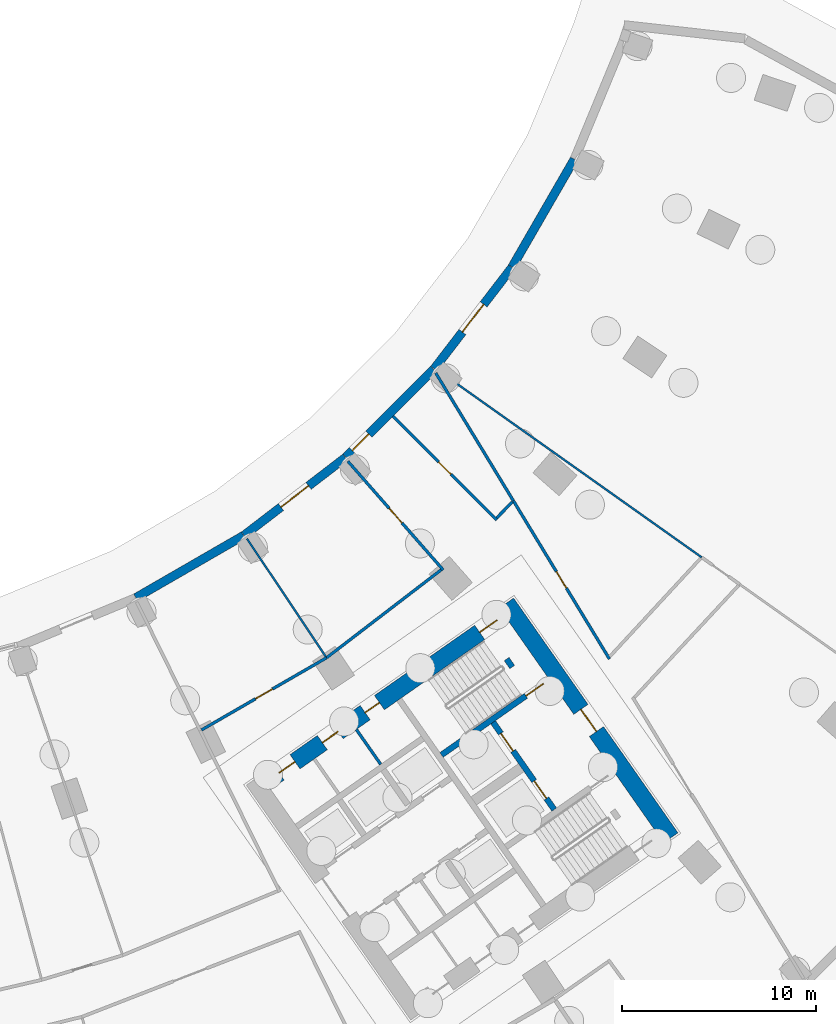
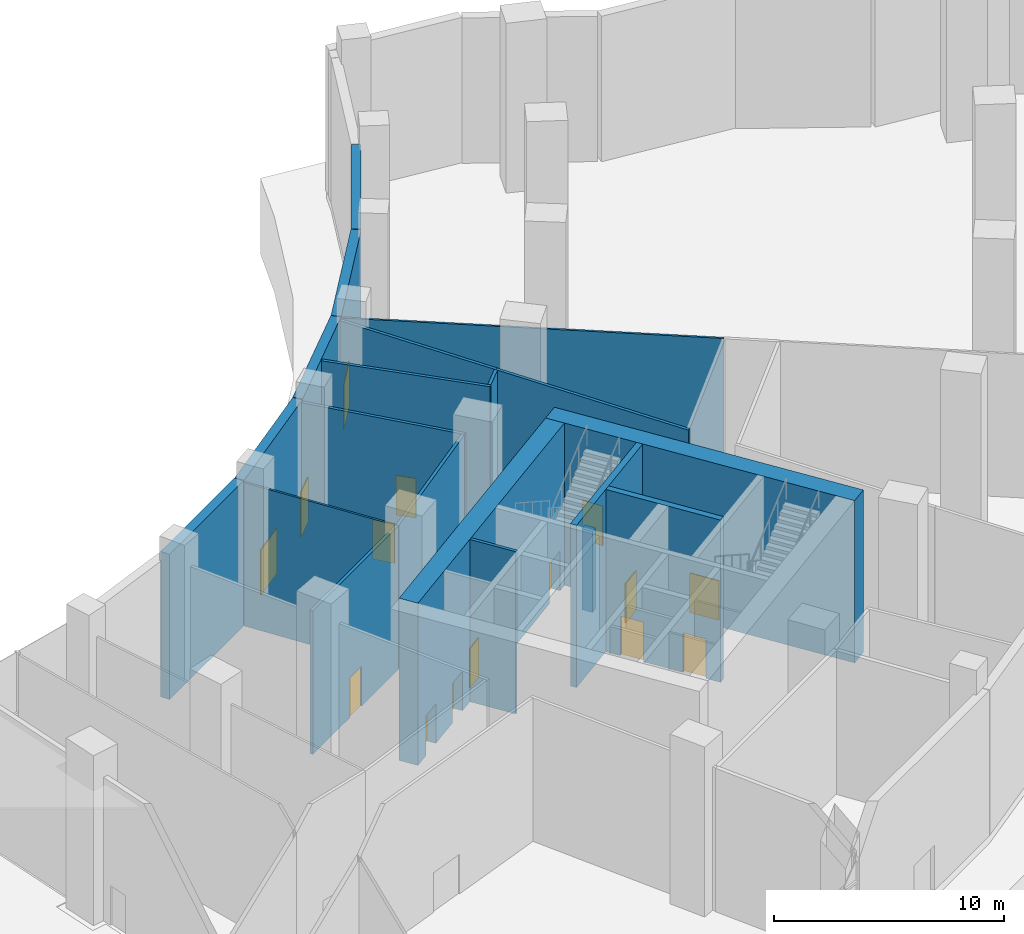
# One storey, part 10 of 23: 20 walls, 15 doors, 15 openings.
"""IFC4 building model written with IfcOpenShell, lengths in metres."""

import ifcopenshell
import ifcopenshell.guid

model = None  # the IFC model being written
_history = None  # IfcOwnerHistory: only IFC2X3 demands one
_inside = {}  # id of a spatial element -> (the spatial element, [elements in it])
_under = {}  # id of a project, library or spatial element -> (it, [spatial elements below it])
_declared = {}  # id of a project -> (the project, [libraries it declares])
_typed = {}  # id of a type object -> (the type object, [elements of that type])
_made_of = {}  # id of a material, layer set ... -> (it, [elements and type objects made of it])


def new_model(schema):
    """Start an empty IFC model of exactly this schema.

    Asked for "IFC4X3", IfcOpenShell would pick the latest addendum, in which some entities
    have other attributes; the version numbers below select the first issue.
    IFC2X3 requires an IfcOwnerHistory on every rooted entity: one is made here for all.
    """
    global model, _history
    if schema == "IFC4X3":
        model = ifcopenshell.file(schema_version=(4, 3, 0, 0))
    else:
        model = ifcopenshell.file(schema=schema)
    _inside.clear()
    _under.clear()
    _declared.clear()
    _typed.clear()
    _made_of.clear()
    _history = None
    if model.schema == "IFC2X3":
        org = make("IfcOrganization", Name="unknown")
        user = make(
            "IfcPersonAndOrganization",
            ThePerson=make("IfcPerson", FamilyName="unknown"),
            TheOrganization=org,
        )
        app = make(
            "IfcApplication",
            ApplicationDeveloper=org,
            Version="unknown",
            ApplicationFullName="unknown",
            ApplicationIdentifier="unknown",
        )
        _history = make(
            "IfcOwnerHistory",
            OwningUser=user,
            OwningApplication=app,
            ChangeAction="ADDED",
            CreationDate=0,
        )
    return model


def make(cls, **values):
    """One entity of the class cls with the attributes given. An attribute that is None is left unset."""
    return model.create_entity(
        cls, **{name: value for name, value in values.items() if value is not None}
    )


def rooted(cls, **values):
    """An entity with a GlobalId (a new one), such as an element, a storey or a relation."""
    return make(cls, GlobalId=ifcopenshell.guid.new(), OwnerHistory=_history, **values)


def si_unit(unit_type, name, prefix=None):
    """IfcSIUnit, for example si_unit("LENGTHUNIT", "METRE", prefix="MILLI")."""
    return make("IfcSIUnit", UnitType=unit_type, Prefix=prefix, Name=name)


def assignment(units):
    """IfcUnitAssignment: the units of a project."""
    return None if units is None else make("IfcUnitAssignment", Units=units)


def point(xyz):
    """IfcCartesianPoint."""
    return None if xyz is None else make("IfcCartesianPoint", Coordinates=xyz)


def direction(xyz):
    """IfcDirection."""
    return None if xyz is None else make("IfcDirection", DirectionRatios=xyz)


def frame(location, z_axis=None, x_axis=None):
    """IfcAxis2Placement3D, a coordinate frame: its origin and axes. An axis left out is left unset."""
    return make(
        "IfcAxis2Placement3D",
        Location=point(location),
        Axis=direction(z_axis),
        RefDirection=direction(x_axis),
    )


def frame_2d(location, x_axis=None):
    """IfcAxis2Placement2D, a coordinate frame in the plane: its origin and x axis."""
    return make(
        "IfcAxis2Placement2D", Location=point(location), RefDirection=direction(x_axis)
    )


def origin():
    """The frame at (0, 0, 0) with its axes left unset."""
    return frame((0.0, 0.0, 0.0))


def place(relative_to, where):
    """IfcLocalPlacement: puts the frame where relative to a parent placement (None: the world)."""
    return make(
        "IfcLocalPlacement", PlacementRelTo=relative_to, RelativePlacement=where
    )


def context(
    kind, dimensions, precision=None, world=None, true_north=None, identifier=None
):
    """IfcGeometricRepresentationContext, for example the 3D "Model" context."""
    return make(
        "IfcGeometricRepresentationContext",
        ContextIdentifier=identifier,
        ContextType=kind,
        CoordinateSpaceDimension=dimensions,
        Precision=precision,
        WorldCoordinateSystem=world,
        TrueNorth=true_north,
    )


def subcontext(parent, identifier, kind, view, scale=None):
    """IfcGeometricRepresentationSubContext, for example "Body" below "Model"."""
    return make(
        "IfcGeometricRepresentationSubContext",
        ContextIdentifier=identifier,
        ContextType=kind,
        ParentContext=parent,
        TargetScale=scale,
        TargetView=view,
    )


def project(units=None, contexts=None):
    """IfcProject with its units and contexts."""
    return rooted(
        "IfcProject",
        Name="project",
        RepresentationContexts=contexts,
        UnitsInContext=assignment(units),
    )


def spatial(cls, under=None, at=None, **own):
    """A site, building, storey or space (cls), placed at a placement, below another one or the project."""
    s = rooted(cls, ObjectPlacement=at, **own)
    if under is not None:
        _under.setdefault(under.id(), (under, []))[1].append(s)
    return s


def profile(cls, at=None, kind="AREA", **sizes):
    """A parametric profile (cls). Its sizes go by their IFC names, for example OverallWidth=200.0."""
    return make(cls, ProfileType=kind, Position=at, **sizes)


def rectangle(**sizes):
    """IfcRectangleProfileDef."""
    return profile("IfcRectangleProfileDef", **sizes)


def extrude(swept, where, along, depth):
    """IfcExtrudedAreaSolid: the profile swept, set in the frame where, extruded along a direction by depth."""
    return make(
        "IfcExtrudedAreaSolid",
        SweptArea=swept,
        Position=where,
        ExtrudedDirection=direction(along),
        Depth=depth,
    )


def shape(context_of_items, identifier, shape_type, items):
    """IfcShapeRepresentation: the items that make up one representation, for example the "Body"."""
    return make(
        "IfcShapeRepresentation",
        ContextOfItems=context_of_items,
        RepresentationIdentifier=identifier,
        RepresentationType=shape_type,
        Items=items,
    )


def material(Name=None, Category=None):
    """IfcMaterial."""
    return make("IfcMaterial", Name=Name, Category=Category)


def layer(
    of_material, thickness, ventilated=None, Name=None, Category=None, Priority=None
):
    """IfcMaterialLayer: one layer of a wall or slab, of a material (None: an air gap)."""
    return make(
        "IfcMaterialLayer",
        Material=of_material,
        LayerThickness=thickness,
        IsVentilated=ventilated,
        Name=Name,
        Category=Category,
        Priority=Priority,
    )


def layer_set(layers, Name=None):
    """IfcMaterialLayerSet."""
    return make("IfcMaterialLayerSet", MaterialLayers=layers, LayerSetName=Name)


def made_of(thing, what):
    """Note that an element or type object is made of a material, layer set ...; save() writes the relation."""
    if what is not None:
        _made_of.setdefault(what.id(), (what, []))[1].append(thing)
    return thing


def type_object(cls, material=None, **own):
    """A type object (cls), such as IfcWallType, which elements share."""
    return made_of(rooted(cls, **own), material)


def element(
    cls,
    number,
    at=None,
    inside=None,
    cuts=None,
    type_object=None,
    material=None,
    context=None,
    identifier="Body",
    shape_type=None,
    held_by="IfcProductDefinitionShape",
    body=None,
    shapes=None,
    **own,
):
    """One element of the class cls, such as IfcWall. Its Tag is "e" and its number.

    at: its placement. inside: the storey or other place that contains it. cuts: it is an
    opening in that element (IfcRelVoidsElement). A single representation is given by context,
    identifier, shape_type and body (its items); several are given by shapes. held_by: the class
    of the entity that holds the representations. save() writes the other relations.
    """
    e = rooted(cls, Tag="e%d" % number, ObjectPlacement=at, **own)
    if body is not None:
        shapes = [shape(context, identifier, shape_type, body)]
    if shapes is not None:
        e.Representation = make(held_by, Representations=shapes)
    if inside is not None:
        _inside.setdefault(inside.id(), (inside, []))[1].append(e)
    if cuts is not None:
        rooted(
            "IfcRelVoidsElement", RelatingBuildingElement=cuts, RelatedOpeningElement=e
        )
    if type_object is not None:
        _typed.setdefault(type_object.id(), (type_object, []))[1].append(e)
    return made_of(e, material)


def fill(opening, filler):
    """IfcRelFillsElement: the door or window that sits in an opening."""
    return rooted(
        "IfcRelFillsElement",
        RelatingOpeningElement=opening,
        RelatedBuildingElement=filler,
    )


def aggregate(whole, parts):
    """IfcRelAggregates: a whole, such as a stair, and the parts it consists of."""
    return rooted("IfcRelAggregates", RelatingObject=whole, RelatedObjects=parts)


def save(model, path):
    """Write the relations noted so far, then the file.

    IfcRelAggregates (storeys below a building ...), IfcRelContainedInSpatialStructure (elements
    in a storey), IfcRelDefinesByType, IfcRelAssociatesMaterial and IfcRelDeclares: one each for
    every whole, place, type object, material and project.
    """
    for whole, parts in _under.values():
        aggregate(whole, parts)
    for where, things in _inside.values():
        rooted(
            "IfcRelContainedInSpatialStructure",
            RelatedElements=things,
            RelatingStructure=where,
        )
    for kind, things in _typed.values():
        rooted("IfcRelDefinesByType", RelatedObjects=things, RelatingType=kind)
    for what, things in _made_of.values():
        rooted("IfcRelAssociatesMaterial", RelatedObjects=things, RelatingMaterial=what)
    for by, libraries in _declared.values():
        rooted("IfcRelDeclares", RelatingContext=by, RelatedDefinitions=libraries)
    model.write(path)


model = new_model("IFC4")

# Units and contexts
model_context = context("Model", 3, precision=1e-05, world=origin(), true_north=direction((0.0, 1.0)))
body_context = subcontext(model_context, "Body", "Model", "MODEL_VIEW")
ifc_project = project(units=[si_unit("LENGTHUNIT", "METRE"), si_unit("AREAUNIT", "SQUARE_METRE"), si_unit("VOLUMEUNIT", "CUBIC_METRE"), si_unit("PLANEANGLEUNIT", "RADIAN"), si_unit("MASSUNIT", "GRAM", prefix="KILO")], contexts=[model_context])

# Site, building, storey
site_placement = place(None, origin())
site = spatial("IfcSite", under=ifc_project, at=site_placement, CompositionType="ELEMENT")
building_placement = place(site_placement, origin())
building = spatial("IfcBuilding", under=site, at=building_placement, Name="Qamariyya Broadcast Tower", CompositionType="ELEMENT")
storey_placement = place(building_placement, origin())
storey = spatial("IfcBuildingStorey", under=building, at=storey_placement, Name="L00", CompositionType="ELEMENT", Elevation=0.0)

# Wall, opening, door
ifc_material_1 = material(Name="Concrete C70/85", Category="concrete")
ifc_layer_1 = layer(ifc_material_1, 0.89990234375)
ifc_layer_set_1 = layer_set([ifc_layer_1], Name="Core wall 900 mm Concrete C70/85")
wall_type_1 = type_object("IfcWallType", Name="Core wall 900 mm Concrete C70/85", PredefinedType="SHEAR", material=ifc_layer_set_1)
wall_1_placement = place(storey_placement, frame((49.778564453125, -57.191162109375, 0.0), z_axis=(0.0, 0.0, 1.0), x_axis=(-0.573577477574, 0.819151315216, 0.0)))
wall_1 = element("IfcWall", 1, at=wall_1_placement, inside=storey, type_object=wall_type_1, Name="k-E-L00-WH", PredefinedType="SHEAR", context=body_context, shape_type="SweptSolid", body=[
    extrude(rectangle(XDim=14.800048828125, YDim=0.89990234375, at=frame_2d((7.39990234375, 0.0))), origin(), (0.0, 0.0, 1.0), 8.60009765625),
])
opening_1_placement = place(wall_1_placement, frame((6.699951171875, 0.0, 0.0)))
opening_1 = element("IfcOpeningElement", 2, at=opening_1_placement, cuts=wall_1, Name="Opening KD2-E1", PredefinedType="OPENING", context=body_context, shape_type="SweptSolid", body=[
    extrude(rectangle(XDim=1.39990234375, YDim=2.10009765625, at=frame_2d((0.699951171875, 1.050048828125))), frame((0.0, 0.4599609375, 0.0), z_axis=(0.0, -1.0, 0.0), x_axis=(1.0, 0.0, 0.0)), (0.0, 0.0, 1.0), 0.919921875),
])
ifc_material_2 = material(Name="Steel fire-resisting door leaf", Category="steel")
door_type_1 = type_object("IfcDoorType", Name="Fire-fighting lobby door KD2", OperationType="DOUBLE_DOOR_SINGLE_SWING", PredefinedType="DOOR", material=ifc_material_2)
door_1_placement = place(opening_1_placement, origin())
door_1 = element("IfcDoor", 3, at=door_1_placement, inside=storey, type_object=door_type_1, Name="k-E-L00-WH-D17", OperationType="DOUBLE_DOOR_SINGLE_SWING", OverallHeight=2.10009765625, OverallWidth=1.39990234375, PredefinedType="DOOR", context=body_context, shape_type="SweptSolid", body=[
    extrude(rectangle(XDim=1.39990234375, YDim=2.10009765625, at=frame_2d((0.699951171875, 1.050048828125))), frame((0.0, 0.02490234375, 0.0), z_axis=(0.0, -1.0, 0.0), x_axis=(1.0, 0.0, 0.0)), (0.0, 0.0, 1.0), 0.050048828125),
])
fill(opening_1, door_1)

# Wall, openings, doors
wall_2_placement = place(storey_placement, frame((28.8544921875, -54.32421875, 0.0), z_axis=(0.0, 0.0, 1.0), x_axis=(0.819145767589, 0.573585400304, 0.0)))
wall_2 = element("IfcWall", 4, at=wall_2_placement, inside=storey, type_object=wall_type_1, Name="k-E-L00-WI", PredefinedType="SHEAR", context=body_context, shape_type="SweptSolid", body=[
    extrude(rectangle(XDim=15.04541015625, YDim=0.89990234375, at=frame_2d((7.522705078125, 0.0))), origin(), (0.0, 0.0, 1.0), 8.60009765625),
])
opening_2_placement = place(wall_2_placement, frame((0.85009765625, 0.0, 0.0)))
opening_2 = element("IfcOpeningElement", 5, at=opening_2_placement, cuts=wall_2, Name="Opening KD6-E3", PredefinedType="OPENING", context=body_context, shape_type="SweptSolid", body=[
    extrude(rectangle(XDim=1.0, YDim=2.10009765625, at=frame_2d((0.5, 1.050048828125))), frame((0.0, 0.4599609375, 0.0), z_axis=(0.0, -1.0, 0.0), x_axis=(1.0, 0.0, 0.0)), (0.0, 0.0, 1.0), 0.919921875),
])
opening_3_placement = place(wall_2_placement, frame((3.574951171875, 0.0, 0.0)))
opening_3 = element("IfcOpeningElement", 6, at=opening_3_placement, cuts=wall_2, Name="Opening KD7-E1", PredefinedType="OPENING", context=body_context, shape_type="SweptSolid", body=[
    extrude(rectangle(XDim=1.0, YDim=2.10009765625, at=frame_2d((0.5, 1.050048828125))), frame((0.0, 0.4599609375, 0.0), z_axis=(0.0, -1.0, 0.0), x_axis=(1.0, 0.0, 0.0)), (0.0, 0.0, 1.0), 0.919921875),
])
opening_4_placement = place(wall_2_placement, frame((6.27490234375, 0.0, 0.0)))
opening_4 = element("IfcOpeningElement", 7, at=opening_4_placement, cuts=wall_2, Name="Opening KD5-E1", PredefinedType="OPENING", context=body_context, shape_type="SweptSolid", body=[
    extrude(rectangle(XDim=0.89990234375, YDim=2.10009765625, at=frame_2d((0.449951171875, 1.050048828125))), frame((0.0, 0.4599609375, 0.0), z_axis=(0.0, -1.0, 0.0), x_axis=(1.0, 0.0, 0.0)), (0.0, 0.0, 1.0), 0.919921875),
])
opening_5_placement = place(wall_2_placement, frame((13.495361328125, 0.0, 0.0)))
opening_5 = element("IfcOpeningElement", 8, at=opening_5_placement, cuts=wall_2, Name="Opening KD1-E1", PredefinedType="OPENING", context=body_context, shape_type="SweptSolid", body=[
    extrude(rectangle(XDim=1.10009765625, YDim=2.10009765625, at=frame_2d((0.550048828125, 1.050048828125))), frame((0.0, 0.4599609375, 0.0), z_axis=(0.0, -1.0, 0.0), x_axis=(1.0, 0.0, 0.0)), (0.0, 0.0, 1.0), 0.919921875),
])
door_type_2 = type_object("IfcDoorType", Name="Accessible toilet door KD7", OperationType="SINGLE_SWING_LEFT", PredefinedType="DOOR", material=ifc_material_2)
door_2_placement = place(opening_3_placement, origin())
door_2 = element("IfcDoor", 9, at=door_2_placement, inside=storey, type_object=door_type_2, Name="k-E-L00-WI-D10", OperationType="SINGLE_SWING_RIGHT", OverallHeight=2.10009765625, OverallWidth=1.0, PredefinedType="DOOR", context=body_context, shape_type="SweptSolid", body=[
    extrude(rectangle(XDim=1.0, YDim=2.10009765625, at=frame_2d((0.5, 1.050048828125))), frame((0.0, 0.02490234375, 0.0), z_axis=(0.0, -1.0, 0.0), x_axis=(1.0, 0.0, 0.0)), (0.0, 0.0, 1.0), 0.050048828125),
])
fill(opening_3, door_2)
door_type_3 = type_object("IfcDoorType", Name="Core room door KD6", OperationType="SINGLE_SWING_LEFT", PredefinedType="DOOR", material=ifc_material_2)
door_3_placement = place(opening_2_placement, origin())
door_3 = element("IfcDoor", 10, at=door_3_placement, inside=storey, type_object=door_type_3, Name="k-E-L00-WI-D9", OperationType="SINGLE_SWING_LEFT", OverallHeight=2.10009765625, OverallWidth=1.0, PredefinedType="DOOR", context=body_context, shape_type="SweptSolid", body=[
    extrude(rectangle(XDim=1.0, YDim=2.10009765625, at=frame_2d((0.5, 1.050048828125))), frame((0.0, 0.02490234375, 0.0), z_axis=(0.0, -1.0, 0.0), x_axis=(1.0, 0.0, 0.0)), (0.0, 0.0, 1.0), 0.050048828125),
])
fill(opening_2, door_3)
door_type_4 = type_object("IfcDoorType", Name="Stair door KD1", OperationType="SINGLE_SWING_LEFT", PredefinedType="DOOR", material=ifc_material_2)
door_4_placement = place(opening_5_placement, origin())
door_4 = element("IfcDoor", 11, at=door_4_placement, inside=storey, type_object=door_type_4, Name="k-E-L00-WI-D18", OperationType="SINGLE_SWING_RIGHT", OverallHeight=2.10009765625, OverallWidth=1.10009765625, PredefinedType="DOOR", context=body_context, shape_type="SweptSolid", body=[
    extrude(rectangle(XDim=1.10009765625, YDim=2.10009765625, at=frame_2d((0.550048828125, 1.050048828125))), frame((0.0, 0.02490234375, 0.0), z_axis=(0.0, -1.0, 0.0), x_axis=(1.0, 0.0, 0.0)), (0.0, 0.0, 1.0), 0.050048828125),
])
fill(opening_5, door_4)
door_type_5 = type_object("IfcDoorType", Name="Toilet door KD5", OperationType="SINGLE_SWING_LEFT", PredefinedType="DOOR", material=ifc_material_2)
door_5_placement = place(opening_4_placement, origin())
door_5 = element("IfcDoor", 12, at=door_5_placement, inside=storey, type_object=door_type_5, Name="k-E-L00-WI-D11", OperationType="SINGLE_SWING_LEFT", OverallHeight=2.10009765625, OverallWidth=0.89990234375, PredefinedType="DOOR", context=body_context, shape_type="SweptSolid", body=[
    extrude(rectangle(XDim=0.89990234375, YDim=2.10009765625, at=frame_2d((0.449951171875, 1.050048828125))), frame((0.0, 0.02490234375, 0.0), z_axis=(0.0, -1.0, 0.0), x_axis=(1.0, 0.0, 0.0)), (0.0, 0.0, 1.0), 0.050048828125),
])
fill(opening_4, door_5)

# Wall, opening, door
ifc_material_3 = material(Name="Gypsum board partition")
ifc_layer_2 = layer(ifc_material_3, 0.14990234375)
ifc_layer_set_2 = layer_set([ifc_layer_2], Name="Corridor partition 150 EI 60")
wall_type_2 = type_object("IfcWallType", Name="Corridor partition 150 EI 60", PredefinedType="PARTITIONING", material=ifc_layer_set_2)
wall_3_placement = place(storey_placement, frame((25.540771484375, -51.622314453125, 0.0), z_axis=(0.0, 0.0, 1.0), x_axis=(0.866020983744, 0.500007655656, 0.0)))
wall_3 = element("IfcWall", 13, at=wall_3_placement, inside=storey, type_object=wall_type_2, Name="Partition L00-044", PredefinedType="PARTITIONING", context=body_context, shape_type="SweptSolid", body=[
    extrude(rectangle(XDim=7.45947265625, YDim=0.14990234375, at=frame_2d((3.729736328125, 0.0))), origin(), (0.0, 0.0, 1.0), 7.60009765625),
])
opening_6_placement = place(wall_3_placement, frame((3.229736328125, 0.0, 0.0)))
opening_6 = element("IfcOpeningElement", 14, at=opening_6_placement, cuts=wall_3, Name="Opening L00-D16", PredefinedType="OPENING", context=body_context, shape_type="SweptSolid", body=[
    extrude(rectangle(XDim=1.0, YDim=2.10009765625, at=frame_2d((0.5, 1.050048828125))), frame((0.0, 0.0849609375, 0.0), z_axis=(0.0, -1.0, 0.0), x_axis=(1.0, 0.0, 0.0)), (0.0, 0.0, 1.0), 0.169921875),
])
ifc_material_4 = material(Name="Timber fire door leaf", Category="wood")
door_type_6 = type_object("IfcDoorType", Name="Fire door 1000 x 2100 FD60", OperationType="NOTDEFINED", PredefinedType="DOOR", material=ifc_material_4)
door_6_placement = place(opening_6_placement, origin())
door_6 = element("IfcDoor", 15, at=door_6_placement, inside=storey, type_object=door_type_6, Name="Door L00-D16", OperationType="SINGLE_SWING_RIGHT", OverallHeight=2.10009765625, OverallWidth=1.0, PredefinedType="DOOR", context=body_context, shape_type="SweptSolid", body=[
    extrude(rectangle(XDim=1.0, YDim=2.10009765625, at=frame_2d((0.5, 1.050048828125))), frame((0.0, 0.02490234375, 0.0), z_axis=(0.0, -1.0, 0.0), x_axis=(1.0, 0.0, 0.0)), (0.0, 0.0, 1.0), 0.050048828125),
])
fill(opening_6, door_6)

# Wall
wall_4_placement = place(storey_placement, frame((32.000732421875, -47.892578125, 0.0), z_axis=(0.0, 0.0, 1.0), x_axis=(0.793353438114, 0.608761301523, 0.0)))
element("IfcWall", 16, at=wall_4_placement, inside=storey, type_object=wall_type_2, Name="Partition L00-047", PredefinedType="PARTITIONING", context=body_context, shape_type="SweptSolid", body=[
    extrude(rectangle(XDim=7.45947265625, YDim=0.14990234375, at=frame_2d((3.729736328125, 0.0))), origin(), (0.0, 0.0, 1.0), 7.60009765625),
])

# Wall, opening, door
wall_5_placement = place(storey_placement, frame((38.02783203125, -43.3623046875, 0.0), z_axis=(0.0, 0.0, 1.0), x_axis=(-0.659362039417, 0.751825578826, 0.0)))
wall_5 = element("IfcWall", 17, at=wall_5_placement, inside=storey, type_object=wall_type_2, Name="Partition L00-048", PredefinedType="PARTITIONING", context=body_context, shape_type="SweptSolid", body=[
    extrude(rectangle(XDim=7.474853515625, YDim=0.14990234375, at=frame_2d((3.7373046875, 0.0))), origin(), (0.0, 0.0, 1.0), 7.60009765625),
])
opening_7_placement = place(wall_5_placement, frame((3.237548828125, 0.0, 0.0)))
opening_7 = element("IfcOpeningElement", 18, at=opening_7_placement, cuts=wall_5, Name="Opening L00-D17", PredefinedType="OPENING", context=body_context, shape_type="SweptSolid", body=[
    extrude(rectangle(XDim=1.0, YDim=2.10009765625, at=frame_2d((0.5, 1.050048828125))), frame((0.0, 0.0849609375, 0.0), z_axis=(0.0, -1.0, 0.0), x_axis=(1.0, 0.0, 0.0)), (0.0, 0.0, 1.0), 0.169921875),
])
door_7_placement = place(opening_7_placement, origin())
door_7 = element("IfcDoor", 19, at=door_7_placement, inside=storey, type_object=door_type_6, Name="Door L00-D17", OperationType="SINGLE_SWING_RIGHT", OverallHeight=2.10009765625, OverallWidth=1.0, PredefinedType="DOOR", context=body_context, shape_type="SweptSolid", body=[
    extrude(rectangle(XDim=1.0, YDim=2.10009765625, at=frame_2d((0.5, 1.050048828125))), frame((0.0, 0.02490234375, 0.0), z_axis=(0.0, -1.0, 0.0), x_axis=(1.0, 0.0, 0.0)), (0.0, 0.0, 1.0), 0.050048828125),
])
fill(opening_7, door_7)

wall_6_placement = place(storey_placement, frame((35.42138671875, -35.42138671875, 0.0), z_axis=(0.0, 0.0, 1.0), x_axis=(0.707106781187, -0.707106781187, 0.0)))
wall_6 = element("IfcWall", 20, at=wall_6_placement, inside=storey, type_object=wall_type_2, Name="Partition L00-051", PredefinedType="PARTITIONING", context=body_context, shape_type="SweptSolid", body=[
    extrude(rectangle(XDim=7.581787109375, YDim=0.14990234375, at=frame_2d((3.791015625, 0.0))), origin(), (0.0, 0.0, 1.0), 7.60009765625),
])
opening_8_placement = place(wall_6_placement, frame((3.3408203125, 0.0, 0.0)))
opening_8 = element("IfcOpeningElement", 21, at=opening_8_placement, cuts=wall_6, Name="Opening L00-D18", PredefinedType="OPENING", context=body_context, shape_type="SweptSolid", body=[
    extrude(rectangle(XDim=0.89990234375, YDim=2.10009765625, at=frame_2d((0.449951171875, 1.050048828125))), frame((0.0, 0.0849609375, 0.0), z_axis=(0.0, -1.0, 0.0), x_axis=(1.0, 0.0, 0.0)), (0.0, 0.0, 1.0), 0.169921875),
])
door_type_7 = type_object("IfcDoorType", Name="Fire door 900 x 2100 FD60", OperationType="NOTDEFINED", PredefinedType="DOOR", material=ifc_material_4)
door_8_placement = place(opening_8_placement, origin())
door_8 = element("IfcDoor", 22, at=door_8_placement, inside=storey, type_object=door_type_7, Name="Door L00-D18", OperationType="SINGLE_SWING_RIGHT", OverallHeight=2.10009765625, OverallWidth=0.89990234375, PredefinedType="DOOR", context=body_context, shape_type="SweptSolid", body=[
    extrude(rectangle(XDim=0.89990234375, YDim=2.10009765625, at=frame_2d((0.449951171875, 1.050048828125))), frame((0.0, 0.02490234375, 0.0), z_axis=(0.0, -1.0, 0.0), x_axis=(1.0, 0.0, 0.0)), (0.0, 0.0, 1.0), 0.050048828125),
])
fill(opening_8, door_8)

# Walls
wall_7_placement = place(storey_placement, frame((37.6376953125, -33.18701171875, 0.0), z_axis=(0.0, 0.0, 1.0), x_axis=(0.519163683086, -0.854674833, 0.0)))
element("IfcWall", 23, at=wall_7_placement, inside=storey, type_object=wall_type_2, Name="Partition L00-052", PredefinedType="PARTITIONING", context=body_context, shape_type="SweptSolid", body=[
    extrude(rectangle(XDim=7.724853515625, YDim=0.14990234375, at=frame_2d((3.8623046875, 0.0))), origin(), (0.0, 0.0, 1.0), 7.60009765625),
])
wall_8_placement = place(storey_placement, frame((40.78173828125, -40.67578125, 0.0), z_axis=(0.0, 0.0, 1.0), x_axis=(0.698989001302, 0.715132418548, 0.0)))
element("IfcWall", 24, at=wall_8_placement, inside=storey, type_object=wall_type_2, Name="Partition L00-053", PredefinedType="PARTITIONING", context=body_context, shape_type="SweptSolid", body=[
    extrude(rectangle(XDim=1.16455078125, YDim=0.14990234375, at=frame_2d((0.582275390625, 0.0))), origin(), (0.0, 0.0, 1.0), 7.60009765625),
])

# Wall, opening, door
wall_9_placement = place(storey_placement, frame((41.648193359375, -39.789306640625, 0.0), z_axis=(0.0, 0.0, 1.0), x_axis=(0.519144162426, -0.854686690325, 0.0)))
wall_9 = element("IfcWall", 25, at=wall_9_placement, inside=storey, type_object=wall_type_2, Name="Partition L00-054", PredefinedType="PARTITIONING", context=body_context, shape_type="SweptSolid", body=[
    extrude(rectangle(XDim=9.55419921875, YDim=0.14990234375, at=frame_2d((4.777099609375, 0.0))), origin(), (0.0, 0.0, 1.0), 7.60009765625),
])
opening_9_placement = place(wall_9_placement, frame((4.277099609375, 0.0, 0.0)))
opening_9 = element("IfcOpeningElement", 26, at=opening_9_placement, cuts=wall_9, Name="Opening L00-D21", PredefinedType="OPENING", context=body_context, shape_type="SweptSolid", body=[
    extrude(rectangle(XDim=1.0, YDim=2.10009765625, at=frame_2d((0.5, 1.050048828125))), frame((0.0, 0.0849609375, 0.0), z_axis=(0.0, -1.0, 0.0), x_axis=(1.0, 0.0, 0.0)), (0.0, 0.0, 1.0), 0.169921875),
])
door_9_placement = place(opening_9_placement, origin())
door_9 = element("IfcDoor", 27, at=door_9_placement, inside=storey, type_object=door_type_6, Name="Door L00-D21", OperationType="SINGLE_SWING_RIGHT", OverallHeight=2.10009765625, OverallWidth=1.0, PredefinedType="DOOR", context=body_context, shape_type="SweptSolid", body=[
    extrude(rectangle(XDim=1.0, YDim=2.10009765625, at=frame_2d((0.5, 1.050048828125))), frame((0.0, 0.02490234375, 0.0), z_axis=(0.0, -1.0, 0.0), x_axis=(1.0, 0.0, 0.0)), (0.0, 0.0, 1.0), 0.050048828125),
])
fill(opening_9, door_9)

# Wall
ifc_material_5 = material(Name="Gypsum board partition on steel studs", Category="steel")
ifc_layer_3 = layer(ifc_material_5, 0.14990234375)
ifc_layer_set_3 = layer_set([ifc_layer_3], Name="Gypsum board partition 150 mm")
wall_type_3 = type_object("IfcWallType", Name="Gypsum board partition 150 mm", PredefinedType="PARTITIONING", material=ifc_layer_set_3)
wall_10_placement = place(storey_placement, frame((34.798095703125, -53.3974609375, 0.0), z_axis=(0.0, 0.0, 1.0), x_axis=(-0.573633636671, 0.819111989218, 0.0)))
element("IfcWall", 28, at=wall_10_placement, inside=storey, type_object=wall_type_3, Name="k-E-L00-NP540", PredefinedType="PARTITIONING", context=body_context, shape_type="SweptSolid", body=[
    extrude(rectangle(XDim=2.199951171875, YDim=0.14990234375, at=frame_2d((1.10009765625, 0.0))), origin(), (0.0, 0.0, 1.0), 8.60009765625),
])

# Wall, opening, door
ifc_material_6 = material(Name="Concrete C60/75", Category="concrete")
ifc_layer_4 = layer(ifc_material_6, 0.300048828125)
ifc_layer_set_4 = layer_set([ifc_layer_4], Name="Lift shaft wall 300 mm Concrete C60/75")
wall_type_4 = type_object("IfcWallType", Name="Lift shaft wall 300 mm Concrete C60/75", PredefinedType="SOLIDWALL", material=ifc_layer_set_4)
wall_11_placement = place(storey_placement, frame((37.935546875, -52.90966796875, 0.0), z_axis=(0.0, 0.0, 1.0), x_axis=(0.819147518138, 0.57358290031, 0.0)))
wall_11 = element("IfcWall", 29, at=wall_11_placement, inside=storey, type_object=wall_type_4, Name="k-E-L00-NW", PredefinedType="SOLIDWALL", context=body_context, shape_type="SweptSolid", body=[
    extrude(rectangle(XDim=6.79541015625, YDim=0.300048828125, at=frame_2d((3.397705078125, 0.0))), origin(), (0.0, 0.0, 1.0), 8.60009765625),
])
opening_10_placement = place(wall_11_placement, frame((5.3203125, 0.0, 0.0)))
opening_10 = element("IfcOpeningElement", 30, at=opening_10_placement, cuts=wall_11, Name="Opening KD1-E2", PredefinedType="OPENING", context=body_context, shape_type="SweptSolid", body=[
    extrude(rectangle(XDim=1.10009765625, YDim=2.10009765625, at=frame_2d((0.550048828125, 1.050048828125))), frame((0.0, 0.159912109375, 0.0), z_axis=(0.0, -1.0, 0.0), x_axis=(1.0, 0.0, 0.0)), (0.0, 0.0, 1.0), 0.320068359375),
])
door_10_placement = place(opening_10_placement, origin())
door_10 = element("IfcDoor", 31, at=door_10_placement, inside=storey, type_object=door_type_4, Name="k-E-L00-NW-D19", OperationType="SINGLE_SWING_LEFT", OverallHeight=2.10009765625, OverallWidth=1.10009765625, PredefinedType="DOOR", context=body_context, shape_type="SweptSolid", body=[
    extrude(rectangle(XDim=1.10009765625, YDim=2.10009765625, at=frame_2d((0.550048828125, 1.050048828125))), frame((0.0, 0.02490234375, 0.0), z_axis=(0.0, -1.0, 0.0), x_axis=(1.0, 0.0, 0.0)), (0.0, 0.0, 1.0), 0.050048828125),
])
fill(opening_10, door_10)

# Wall, openings, doors
wall_12_placement = place(storey_placement, frame((43.756591796875, -55.731201171875, 0.0), z_axis=(0.0, 0.0, 1.0), x_axis=(-0.573536818435, 0.819179783625, 0.0)))
wall_12 = element("IfcWall", 32, at=wall_12_placement, inside=storey, type_object=wall_type_4, Name="k-E-L00-FF", PredefinedType="SOLIDWALL", context=body_context, shape_type="SweptSolid", body=[
    extrude(rectangle(XDim=5.500244140625, YDim=0.300048828125, at=frame_2d((2.75, 0.0))), origin(), (0.0, 0.0, 1.0), 8.60009765625),
])
opening_11_placement = place(wall_12_placement, frame((0.699951171875, 0.0, 0.0)))
opening_11 = element("IfcOpeningElement", 33, at=opening_11_placement, cuts=wall_12, Name="Opening LD", PredefinedType="OPENING", context=body_context, shape_type="SweptSolid", body=[
    extrude(rectangle(XDim=1.10009765625, YDim=2.10009765625, at=frame_2d((0.550048828125, 1.050048828125))), frame((0.0, 0.159912109375, 0.0), z_axis=(0.0, -1.0, 0.0), x_axis=(1.0, 0.0, 0.0)), (0.0, 0.0, 1.0), 0.320068359375),
])
opening_12_placement = place(wall_12_placement, frame((3.699951171875, 0.0, 0.0)))
opening_12 = element("IfcOpeningElement", 34, at=opening_12_placement, cuts=wall_12, Name="Opening LD", PredefinedType="OPENING", context=body_context, shape_type="SweptSolid", body=[
    extrude(rectangle(XDim=1.10009765625, YDim=2.10009765625, at=frame_2d((0.550048828125, 1.050048828125))), frame((0.0, 0.159912109375, 0.0), z_axis=(0.0, -1.0, 0.0), x_axis=(1.0, 0.0, 0.0)), (0.0, 0.0, 1.0), 0.320068359375),
])
door_type_8 = type_object("IfcDoorType", Name="Lift landing door LD", OperationType="DOUBLE_DOOR_SLIDING", PredefinedType="DOOR", material=ifc_material_2)
door_11_placement = place(opening_11_placement, origin())
door_11 = element("IfcDoor", 35, at=door_11_placement, inside=storey, type_object=door_type_8, Name="k-E-L00-FF-D15", OperationType="DOUBLE_DOOR_SLIDING", OverallHeight=2.10009765625, OverallWidth=1.10009765625, PredefinedType="DOOR", context=body_context, shape_type="SweptSolid", body=[
    extrude(rectangle(XDim=1.10009765625, YDim=2.10009765625, at=frame_2d((0.550048828125, 1.050048828125))), frame((0.0, 0.02490234375, 0.0), z_axis=(0.0, -1.0, 0.0), x_axis=(1.0, 0.0, 0.0)), (0.0, 0.0, 1.0), 0.050048828125),
])
fill(opening_11, door_11)
door_12_placement = place(opening_12_placement, origin())
door_12 = element("IfcDoor", 36, at=door_12_placement, inside=storey, type_object=door_type_8, Name="k-E-L00-FF-D16", OperationType="DOUBLE_DOOR_SLIDING", OverallHeight=2.10009765625, OverallWidth=1.10009765625, PredefinedType="DOOR", context=body_context, shape_type="SweptSolid", body=[
    extrude(rectangle(XDim=1.10009765625, YDim=2.10009765625, at=frame_2d((0.550048828125, 1.050048828125))), frame((0.0, 0.02490234375, 0.0), z_axis=(0.0, -1.0, 0.0), x_axis=(1.0, 0.0, 0.0)), (0.0, 0.0, 1.0), 0.050048828125),
])
fill(opening_12, door_12)

# Walls
wall_13_placement = place(storey_placement, frame((41.30029296875, -47.959716796875, 0.0), z_axis=(0.0, 0.0, 1.0), x_axis=(0.573495128918, -0.819208970354, 0.0)))
element("IfcWall", 37, at=wall_13_placement, inside=storey, type_object=wall_type_4, Name="k-E-L00-E2PR", PredefinedType="SOLIDWALL", context=body_context, shape_type="SweptSolid", body=[
    extrude(rectangle(XDim=0.499755859375, YDim=0.300048828125, at=frame_2d((0.25, 0.0))), origin(), (0.0, 0.0, 1.0), 4.300048828125),
])
ifc_layer_5 = layer(ifc_material_3, 0.10009765625)
ifc_layer_set_5 = layer_set([ifc_layer_5], Name="Partition 100")
wall_type_5 = type_object("IfcWallType", Name="Partition 100", PredefinedType="PARTITIONING", material=ifc_layer_set_5)
wall_14_placement = place(storey_placement, frame((27.8896484375, -41.73974609375, 0.0), z_axis=(0.0, 0.0, 1.0), x_axis=(0.555569023768, -0.831470420297, 0.0)))
element("IfcWall", 38, at=wall_14_placement, inside=storey, type_object=wall_type_5, Name="Partition L00-045", PredefinedType="PARTITIONING", context=body_context, shape_type="SweptSolid", body=[
    extrude(rectangle(XDim=7.324951171875, YDim=0.10009765625, at=frame_2d((3.66259765625, 0.0))), origin(), (0.0, 0.0, 1.0), 7.60009765625),
])
wall_15_placement = place(storey_placement, frame((51.367431640625, -42.703857421875, 0.0), z_axis=(0.0, 0.0, 1.0), x_axis=(-0.815732765415, 0.578428954521, 0.0)))
element("IfcWall", 39, at=wall_15_placement, inside=storey, type_object=wall_type_5, Name="Partition L00-061", PredefinedType="PARTITIONING", context=body_context, shape_type="SweptSolid", body=[
    extrude(rectangle(XDim=16.667724609375, YDim=0.10009765625, at=frame_2d((8.333984375, 0.0))), origin(), (0.0, 0.0, 1.0), 7.60009765625),
])
ifc_material_7 = material(Name="Precast concrete C40/50 with terracotta facing", Category="masonry")
ifc_layer_6 = layer(ifc_material_7, 0.449951171875)
ifc_layer_set_6 = layer_set([ifc_layer_6], Name="Precast concrete C40/50 wall 450, terracotta faced")
wall_type_6 = type_object("IfcWallType", Name="Precast concrete C40/50 wall 450, terracotta faced", PredefinedType="SOLIDWALL", material=ifc_layer_set_6)
wall_16_placement = place(storey_placement, frame((27.7138671875, -41.58251953125, 0.0), z_axis=(0.0, 0.0, 1.0), x_axis=(-0.866022817921, -0.50000447882, 0.0)))
element("IfcWall", 40, at=wall_16_placement, inside=storey, type_object=wall_type_6, Name="e-wl-L00-in140", PredefinedType="SOLIDWALL", context=body_context, shape_type="SweptSolid", body=[
    extrude(rectangle(XDim=6.41943359375, YDim=0.449951171875, at=frame_2d((3.209716796875, 0.0))), origin(), (0.0, 0.0, 1.0), 7.699951171875),
])

# Wall, opening, door
wall_17_placement = place(storey_placement, frame((32.974853515625, -37.55517578125, 0.0), z_axis=(0.0, 0.0, 1.0), x_axis=(-0.793338838284, -0.608780327927, 0.0)))
wall_17 = element("IfcWall", 41, at=wall_17_placement, inside=storey, type_object=wall_type_6, Name="e-wl-L00-in150", PredefinedType="SOLIDWALL", context=body_context, shape_type="SweptSolid", body=[
    extrude(rectangle(XDim=6.596923828125, YDim=0.449951171875, at=frame_2d((3.29833984375, 0.0))), origin(), (0.0, 0.0, 1.0), 7.699951171875),
])
opening_13_placement = place(wall_17_placement, frame((2.3984375, 0.0, 0.0)))
opening_13 = element("IfcOpeningElement", 42, at=opening_13_placement, cuts=wall_17, Name="Opening ED8", PredefinedType="OPENING", context=body_context, shape_type="SweptSolid", body=[
    extrude(rectangle(XDim=1.800048828125, YDim=2.39990234375, at=frame_2d((0.89990234375, 1.199951171875))), frame((0.0, 0.23486328125, 0.0), z_axis=(0.0, -1.0, 0.0), x_axis=(1.0, 0.0, 0.0)), (0.0, 0.0, 1.0), 0.469970703125),
])
ifc_material_8 = material(Name="Toughened glass in stainless steel frame", Category="steel")
door_type_9 = type_object("IfcDoorType", Name="Street exit door 1800 x 2400", OperationType="DOUBLE_DOOR_DOUBLE_SWING", PredefinedType="DOOR", material=ifc_material_8)
door_13_placement = place(opening_13_placement, origin())
door_13 = element("IfcDoor", 43, at=door_13_placement, inside=storey, type_object=door_type_9, Name="e-ed-L00-exit07-in15", OperationType="DOUBLE_DOOR_DOUBLE_SWING", OverallHeight=2.39990234375, OverallWidth=1.800048828125, PredefinedType="DOOR", context=body_context, shape_type="SweptSolid", body=[
    extrude(rectangle(XDim=1.800048828125, YDim=2.39990234375, at=frame_2d((0.89990234375, 1.199951171875))), frame((0.0, 0.02490234375, 0.0), z_axis=(0.0, -1.0, 0.0), x_axis=(1.0, 0.0, 0.0)), (0.0, 0.0, 1.0), 0.050048828125),
])
fill(opening_13, door_13)

wall_18_placement = place(storey_placement, frame((37.531982421875, -32.992919921875, 0.0), z_axis=(0.0, 0.0, 1.0), x_axis=(-0.707106781187, -0.707106781187, 0.0)))
wall_18 = element("IfcWall", 44, at=wall_18_placement, inside=storey, type_object=wall_type_6, Name="e-wl-L00-in160", PredefinedType="SOLIDWALL", context=body_context, shape_type="SweptSolid", body=[
    extrude(rectangle(XDim=6.419189453125, YDim=0.449951171875, at=frame_2d((3.20947265625, 0.0))), origin(), (0.0, 0.0, 1.0), 7.699951171875),
])
opening_14_placement = place(wall_18_placement, frame((5.939697265625, 0.0, 0.0), z_axis=(0.0, 0.0, 1.0), x_axis=(-1.0, 0.0, 0.0)))
opening_14 = element("IfcOpeningElement", 45, at=opening_14_placement, cuts=wall_18, Name="Opening ED4", PredefinedType="OPENING", context=body_context, shape_type="SweptSolid", body=[
    extrude(rectangle(XDim=1.199951171875, YDim=2.39990234375, at=frame_2d((0.60009765625, 1.199951171875))), frame((0.0, 0.23486328125, 0.0), z_axis=(0.0, -1.0, 0.0), x_axis=(1.0, 0.0, 0.0)), (0.0, 0.0, 1.0), 0.469970703125),
])
door_type_10 = type_object("IfcDoorType", Name="Stair discharge door 1200 x 2400", OperationType="SINGLE_SWING_LEFT", PredefinedType="DOOR", material=ifc_material_8)
door_14_placement = place(opening_14_placement, origin())
door_14 = element("IfcDoor", 46, at=door_14_placement, inside=storey, type_object=door_type_10, Name="e-ed-L00-exit-k-E-L00-WI-D18", OperationType="SINGLE_SWING_LEFT", OverallHeight=2.39990234375, OverallWidth=1.199951171875, PredefinedType="DOOR", context=body_context, shape_type="SweptSolid", body=[
    extrude(rectangle(XDim=1.199951171875, YDim=2.39990234375, at=frame_2d((0.60009765625, 1.199951171875))), frame((0.0, 0.02490234375, 0.0), z_axis=(0.0, -1.0, 0.0), x_axis=(1.0, 0.0, 0.0)), (0.0, 0.0, 1.0), 0.050048828125),
])
fill(opening_14, door_14)

wall_19_placement = place(storey_placement, frame((41.5712890625, -27.7412109375, 0.0), z_axis=(0.0, 0.0, 1.0), x_axis=(-0.608780327927, -0.793338838284, 0.0)))
wall_19 = element("IfcWall", 47, at=wall_19_placement, inside=storey, type_object=wall_type_6, Name="e-wl-L00-in170", PredefinedType="SOLIDWALL", context=body_context, shape_type="SweptSolid", body=[
    extrude(rectangle(XDim=6.596923828125, YDim=0.449951171875, at=frame_2d((3.29833984375, 0.0))), origin(), (0.0, 0.0, 1.0), 7.699951171875),
])
opening_15_placement = place(wall_19_placement, frame((2.3984375, 0.0, 0.0)))
opening_15 = element("IfcOpeningElement", 48, at=opening_15_placement, cuts=wall_19, Name="Opening ED8", PredefinedType="OPENING", context=body_context, shape_type="SweptSolid", body=[
    extrude(rectangle(XDim=1.800048828125, YDim=2.39990234375, at=frame_2d((0.89990234375, 1.199951171875))), frame((0.0, 0.23486328125, 0.0), z_axis=(0.0, -1.0, 0.0), x_axis=(1.0, 0.0, 0.0)), (0.0, 0.0, 1.0), 0.469970703125),
])
door_15_placement = place(opening_15_placement, origin())
door_15 = element("IfcDoor", 49, at=door_15_placement, inside=storey, type_object=door_type_9, Name="e-ed-L00-exit08-in17", OperationType="DOUBLE_DOOR_DOUBLE_SWING", OverallHeight=2.39990234375, OverallWidth=1.800048828125, PredefinedType="DOOR", context=body_context, shape_type="SweptSolid", body=[
    extrude(rectangle(XDim=1.800048828125, YDim=2.39990234375, at=frame_2d((0.89990234375, 1.199951171875))), frame((0.0, 0.02490234375, 0.0), z_axis=(0.0, -1.0, 0.0), x_axis=(1.0, 0.0, 0.0)), (0.0, 0.0, 1.0), 0.050048828125),
])
fill(opening_15, door_15)

# Wall
wall_20_placement = place(storey_placement, frame((44.792236328125, -22.154541015625, 0.0), z_axis=(0.0, 0.0, 1.0), x_axis=(-0.50000447882, -0.866022817921, 0.0)))
element("IfcWall", 50, at=wall_20_placement, inside=storey, type_object=wall_type_6, Name="e-wl-L00-in180", PredefinedType="SOLIDWALL", context=body_context, shape_type="SweptSolid", body=[
    extrude(rectangle(XDim=6.41943359375, YDim=0.449951171875, at=frame_2d((3.209716796875, 0.0))), origin(), (0.0, 0.0, 1.0), 7.699951171875),
])

save(model, "model.ifc")
